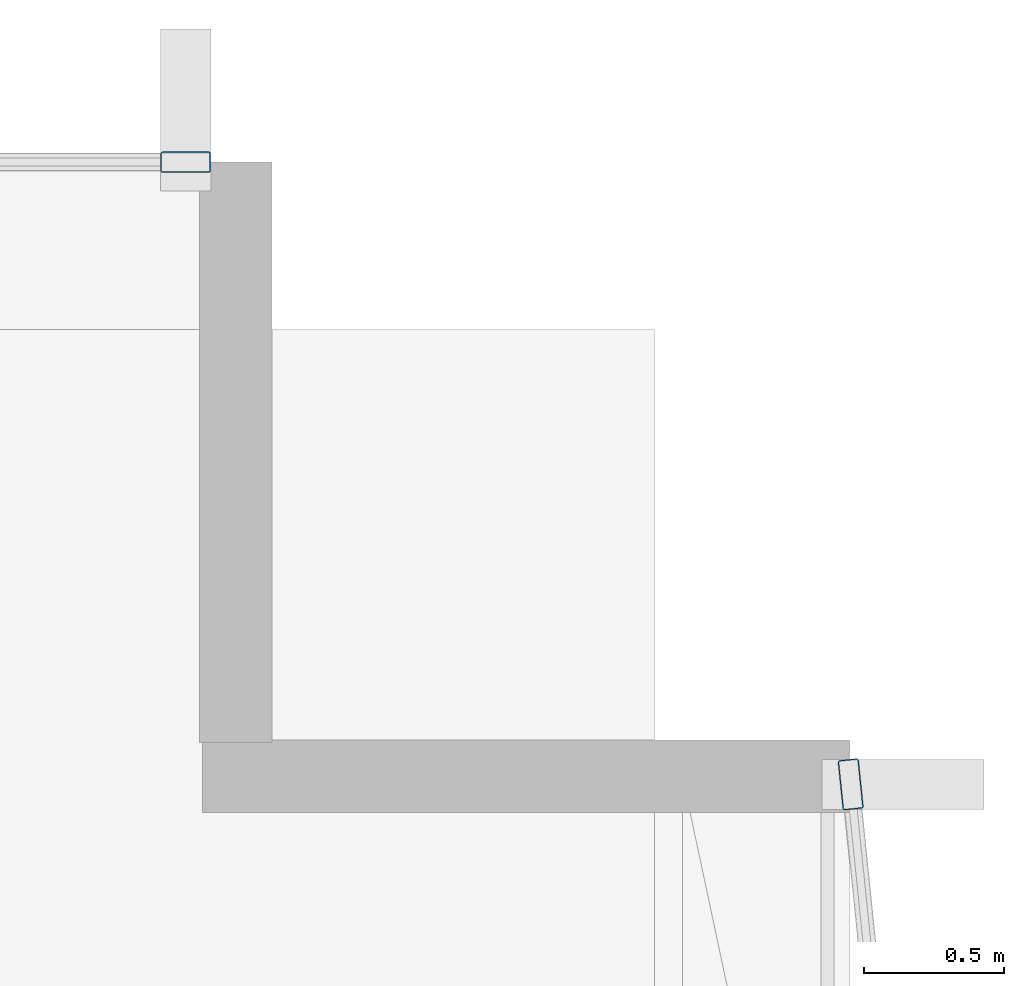
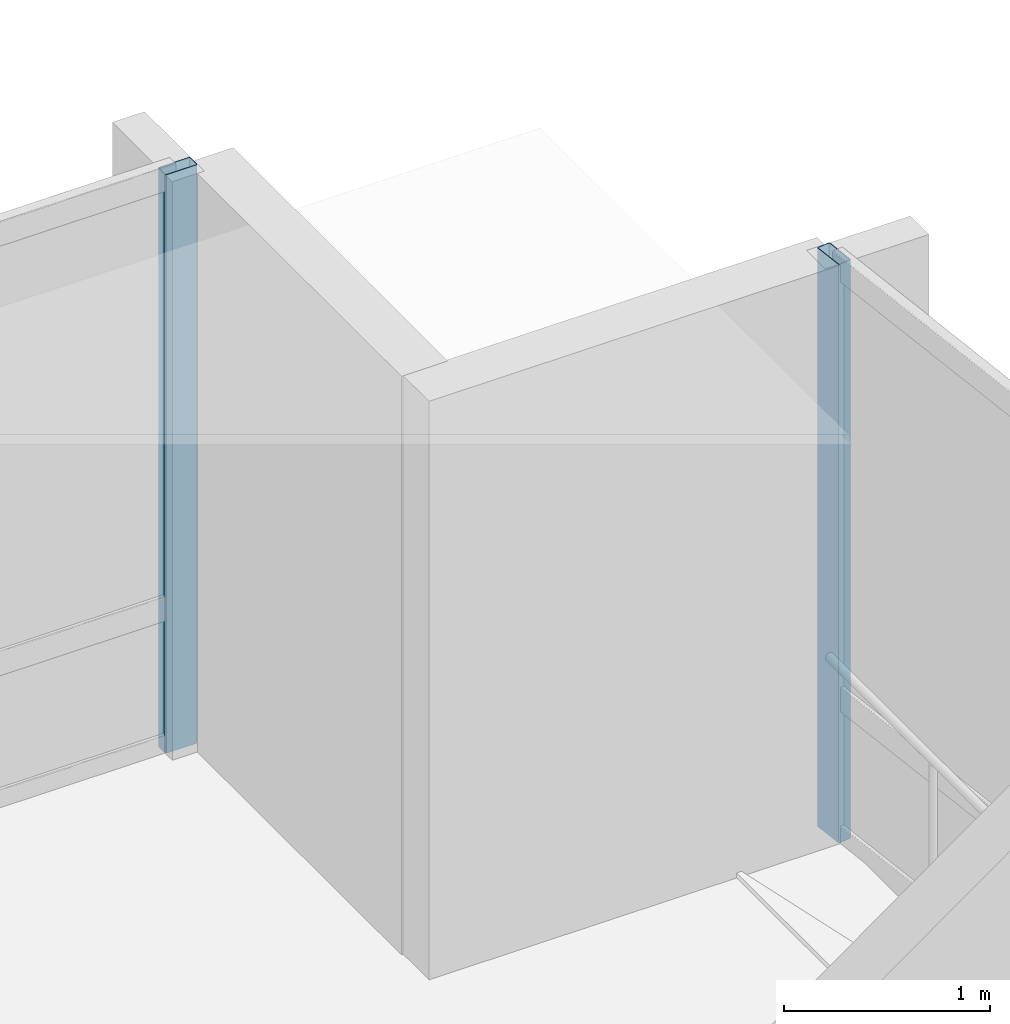
# One storey, part 17 of 34: 2 members, 2 elements without a shape of their own.
"""IFC4 building model written with IfcOpenShell, lengths in metres."""

from ifc_helpers import new_model, si_unit, direction, frame, origin, origin_2d, place, context, subcontext, project, spatial, hollow_rectangle, extrude, material, layer, layer_set, material_profile, profile_set, type_object, element, aggregate, save


model = new_model("IFC4")

# Units and contexts
model_context = context("Model", 3, precision=1e-05, world=origin(), true_north=direction((0.0, 1.0)))
body_context = subcontext(model_context, "Body", "Model", "MODEL_VIEW")
ifc_project = project(units=[si_unit("LENGTHUNIT", "METRE"), si_unit("AREAUNIT", "SQUARE_METRE"), si_unit("VOLUMEUNIT", "CUBIC_METRE"), si_unit("PLANEANGLEUNIT", "RADIAN"), si_unit("MASSUNIT", "GRAM", prefix="KILO")], contexts=[model_context])

# Site, building, storey
site_placement = place(None, origin())
site = spatial("IfcSite", under=ifc_project, at=site_placement, CompositionType="ELEMENT")
building_placement = place(site_placement, origin())
building = spatial("IfcBuilding", under=site, at=building_placement, Name="Solvaryn Broadcast Tower", CompositionType="ELEMENT")
storey_placement = place(building_placement, frame((0.0, 0.0, 50.800048828125)))
storey = spatial("IfcBuildingStorey", under=building, at=storey_placement, Name="L11", CompositionType="ELEMENT", Elevation=50.800048828125)

# Curtain wall, member
ifc_material_1 = material(Name="Aluminium and Terracotta Unitised Curtain Wall", Category="masonry")
ifc_layer = layer(ifc_material_1, 0.199951171875)
ifc_layer_set = layer_set([ifc_layer], Name="CW-SYS2-LOWMID")
curtain_wall_type = type_object("IfcCurtainWallType", Name="CW-SYS2-LOWMID", PredefinedType="NOTDEFINED", material=ifc_layer_set)
curtain_wall_1_placement = place(storey_placement, origin())
curtain_wall_1 = element("IfcCurtainWall", 1, at=curtain_wall_1_placement, inside=storey, type_object=curtain_wall_type, Name="L11 Curtain Wall ET1", PredefinedType="NOTDEFINED")
ifc_material_2 = material(Name="Anodised Aluminium 6063-T6", Category="aluminium")
ifc_material_profile = material_profile(ifc_material_2, hollow_rectangle(XDim=0.074951171875, YDim=0.179931640625, WallThickness=0.00390625, InnerFilletRadius=0.00390625, OuterFilletRadius=0.008056640625, at=origin_2d()))
ifc_profile_set = profile_set([ifc_material_profile], Name="Anodised Aluminium 6063-T6")
member_type = type_object("IfcMemberType", Name="CW-MUL-180", PredefinedType="MULLION", material=ifc_profile_set)
member_1_placement = place(storey_placement, frame((63.003173828125, 24.770263671875, 0.0), z_axis=(0.0, 0.0, 1.0), x_axis=(0.99474329889, 0.10240004548, 0.0)))
member_1 = element("IfcMember", 2, at=member_1_placement, type_object=member_type, Name="CWS2 mullion 1", PredefinedType="MULLION", context=body_context, shape_type="SweptSolid", body=[
    extrude(hollow_rectangle(XDim=0.074951171875, YDim=0.179931640625, WallThickness=0.00390625, InnerFilletRadius=0.00390625, OuterFilletRadius=0.008056640625, at=origin_2d()), origin(), (0.0, 0.0, 1.0), 3.419921875),
])
aggregate(curtain_wall_1, [member_1])

curtain_wall_2_placement = place(storey_placement, origin())
curtain_wall_2 = element("IfcCurtainWall", 3, at=curtain_wall_2_placement, inside=storey, type_object=curtain_wall_type, Name="L11 Curtain Wall IH", PredefinedType="NOTDEFINED")
member_2_placement = place(storey_placement, frame((60.6201171875, 27.0, 0.0), z_axis=(0.0, 0.0, 1.0), x_axis=(0.0, 1.0, 0.0)))
member_2 = element("IfcMember", 4, at=member_2_placement, type_object=member_type, Name="CWS2 mullion 2", PredefinedType="MULLION", context=body_context, shape_type="SweptSolid", body=[
    extrude(hollow_rectangle(XDim=0.074951171875, YDim=0.179931640625, WallThickness=0.00390625, InnerFilletRadius=0.00390625, OuterFilletRadius=0.008056640625, at=origin_2d()), origin(), (0.0, 0.0, 1.0), 3.419921875),
])
aggregate(curtain_wall_2, [member_2])

save(model, "model.ifc")
